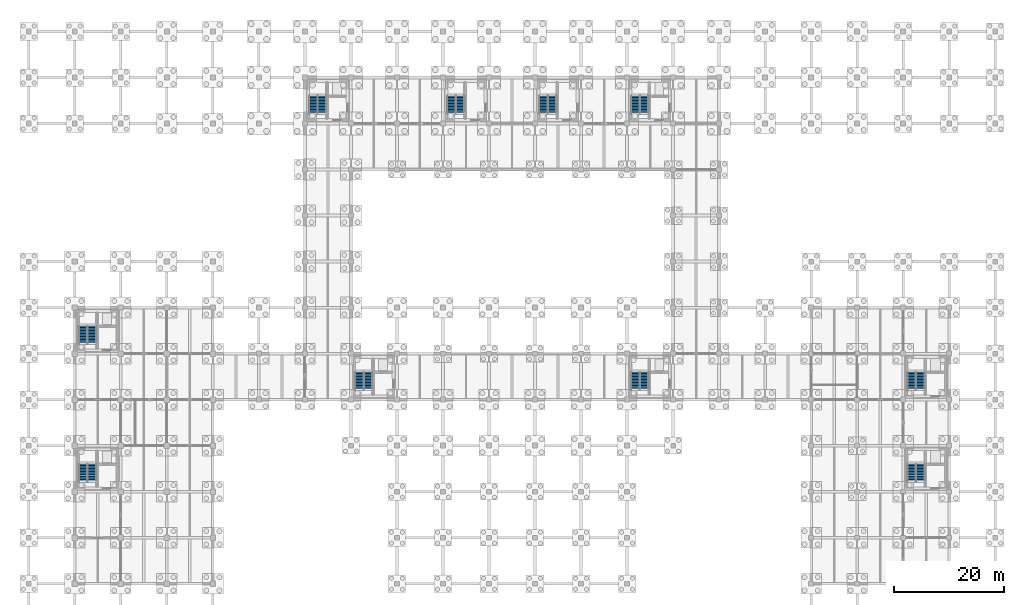
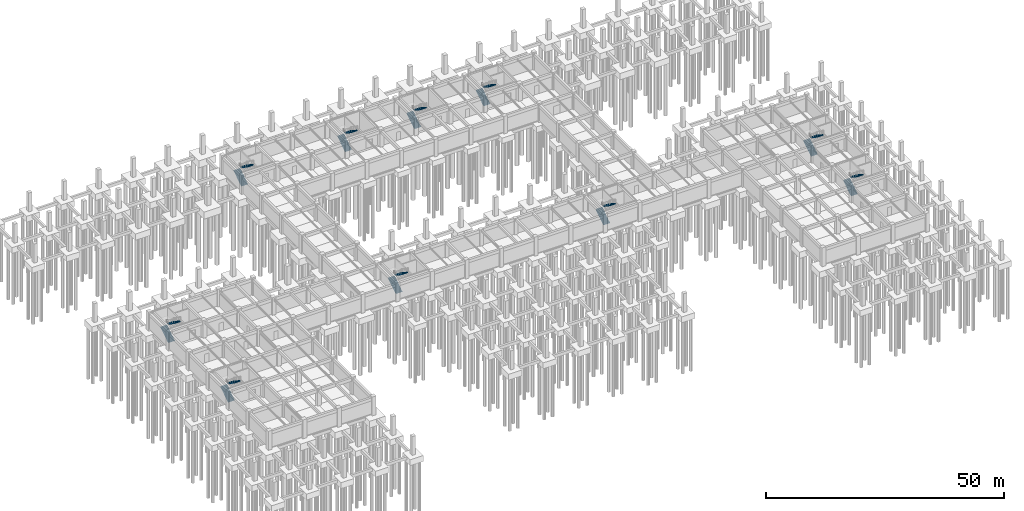
# One storey, part 26 of 29: 20 stair flights, 10 elements without a shape of their own.
"""IFC4 building model written with IfcOpenShell, lengths in metres."""

from ifc_helpers import new_model, si_unit, direction, frame, origin, place, context, subcontext, project, spatial, polyline, outline, extrude, material, layer, layer_set, type_object, element, aggregate, save


model = new_model("IFC4")

# Units and contexts
model_context = context("Model", 3, precision=1e-05, world=origin(), true_north=direction((0.0, 1.0)))
body_context = subcontext(model_context, "Body", "Model", "MODEL_VIEW")
ifc_project = project(units=[si_unit("LENGTHUNIT", "METRE"), si_unit("AREAUNIT", "SQUARE_METRE"), si_unit("VOLUMEUNIT", "CUBIC_METRE"), si_unit("PLANEANGLEUNIT", "RADIAN"), si_unit("MASSUNIT", "GRAM", prefix="KILO")], contexts=[model_context])

# Site, building, storey
site_placement = place(None, origin())
site = spatial("IfcSite", under=ifc_project, at=site_placement, CompositionType="ELEMENT")
building_placement = place(site_placement, origin())
building = spatial("IfcBuilding", under=site, at=building_placement, Name="Porcellanite Civic Hall", CompositionType="ELEMENT")
storey_placement = place(building_placement, frame((0.0, 0.0, -4.5)))
storey = spatial("IfcBuildingStorey", under=building, at=storey_placement, Name="B1", CompositionType="ELEMENT", Elevation=-4.5)

# Stair, stair flights
ifc_material_1 = material(Name="Concrete N40 (40 MPa)", Category="concrete")
stair_type = type_object("IfcStairType", Name="STR-HT25", PredefinedType="HALF_TURN_STAIR", material=ifc_material_1)
stair_1_placement = place(storey_placement, origin())
stair_1 = element("IfcStair", 1, at=stair_1_placement, inside=storey, type_object=stair_type, Name="Fire stair ST-01 B1", PredefinedType="HALF_TURN_STAIR")
ifc_material_2 = material(Name="Concrete N40 (40 MPa)", Category="concrete")
ifc_layer = layer(ifc_material_2, 0.18994140625)
ifc_layer_set = layer_set([ifc_layer], Name="Concrete N40 (40 MPa)")
stair_flight_type = type_object("IfcStairFlightType", Name="FLT-154B", PredefinedType="STRAIGHT", material=ifc_layer_set)
stair_flight_1_placement = place(storey_placement, frame((9.9599609375, 35.324951171875, 0.0), z_axis=(0.0, 0.0, 1.0), x_axis=(0.0, 1.0, 0.0)))
stair_flight_1 = element("IfcStairFlight", 2, at=stair_flight_1_placement, type_object=stair_flight_type, Name="ST-01 flight 1", NumberOfRisers=13, NumberOfTreads=12, PredefinedType="STRAIGHT", RiserHeight=0.18, TreadLength=0.275, context=body_context, shape_type="SweptSolid", body=[
    extrude(outline(polyline([(0.0, 0.0), (0.0, 0.179931640625), (0.27490234375, 0.179931640625), (0.27490234375, 0.360107421875), (0.550048828125, 0.360107421875), (0.550048828125, 0.5400390625), (0.824951171875, 0.5400390625), (0.824951171875, 0.719970703125), (1.10009765625, 0.719970703125), (1.10009765625, 0.89990234375), (1.375, 0.89990234375), (1.375, 1.080078125), (1.64990234375, 1.080078125), (1.64990234375, 1.260009765625), (1.925048828125, 1.260009765625), (1.925048828125, 1.43994140625), (2.199951171875, 1.43994140625), (2.199951171875, 1.6201171875), (2.47509765625, 1.6201171875), (2.47509765625, 1.800048828125), (2.75, 1.800048828125), (2.75, 1.97998046875), (3.02490234375, 1.97998046875), (3.02490234375, 2.159912109375), (3.300048828125, 2.159912109375), (3.300048828125, 2.340087890625), (3.300048828125, 1.945068359375), (0.32861328125, 0.0), (0.0, 0.0)])), frame((0.0, 0.77001953125, 0.0), z_axis=(0.0, -1.0, 0.0), x_axis=(1.0, 0.0, 0.0)), (0.0, 0.0, 1.0), 1.5400390625),
])
stair_flight_2_placement = place(storey_placement, frame((11.5400390625, 38.625, 2.340087890625), z_axis=(0.0, 0.0, 1.0), x_axis=(0.0, -1.0, 0.0)))
stair_flight_2 = element("IfcStairFlight", 3, at=stair_flight_2_placement, type_object=stair_flight_type, Name="ST-01 flight 2", NumberOfRisers=12, NumberOfTreads=11, PredefinedType="STRAIGHT", RiserHeight=0.18, TreadLength=0.275, context=body_context, shape_type="SweptSolid", body=[
    extrude(outline(polyline([(0.0, 0.0), (0.0, 0.179931640625), (0.27490234375, 0.179931640625), (0.27490234375, 0.360107421875), (0.550048828125, 0.360107421875), (0.550048828125, 0.5400390625), (0.824951171875, 0.5400390625), (0.824951171875, 0.719970703125), (1.10009765625, 0.719970703125), (1.10009765625, 0.89990234375), (1.375, 0.89990234375), (1.375, 1.080078125), (1.64990234375, 1.080078125), (1.64990234375, 1.260009765625), (1.925048828125, 1.260009765625), (1.925048828125, 1.43994140625), (2.199951171875, 1.43994140625), (2.199951171875, 1.6201171875), (2.47509765625, 1.6201171875), (2.47509765625, 1.800048828125), (2.75, 1.800048828125), (2.75, 1.97998046875), (3.02490234375, 1.97998046875), (3.02490234375, 2.159912109375), (3.02490234375, 1.764892578125), (0.32861328125, 0.0), (0.0, 0.0)])), frame((0.0, 0.77001953125, 0.0), z_axis=(0.0, -1.0, 0.0), x_axis=(1.0, 0.0, 0.0)), (0.0, 0.0, 1.0), 1.5400390625),
])
aggregate(stair_1, [stair_flight_1, stair_flight_2])

stair_2_placement = place(storey_placement, origin())
stair_2 = element("IfcStair", 4, at=stair_2_placement, inside=storey, type_object=stair_type, Name="Fire stair ST-02 B1", PredefinedType="HALF_TURN_STAIR")
stair_flight_3_placement = place(storey_placement, frame((9.9599609375, 60.52490234375, 0.0), z_axis=(0.0, 0.0, 1.0), x_axis=(0.0, 1.0, 0.0)))
stair_flight_3 = element("IfcStairFlight", 5, at=stair_flight_3_placement, type_object=stair_flight_type, Name="ST-02 flight 1", NumberOfRisers=13, NumberOfTreads=12, PredefinedType="STRAIGHT", RiserHeight=0.18, TreadLength=0.275, context=body_context, shape_type="SweptSolid", body=[
    extrude(outline(polyline([(0.0, 0.0), (0.0, 0.179931640625), (0.27490234375, 0.179931640625), (0.27490234375, 0.360107421875), (0.550048828125, 0.360107421875), (0.550048828125, 0.5400390625), (0.824951171875, 0.5400390625), (0.824951171875, 0.719970703125), (1.10009765625, 0.719970703125), (1.10009765625, 0.89990234375), (1.375, 0.89990234375), (1.375, 1.080078125), (1.64990234375, 1.080078125), (1.64990234375, 1.260009765625), (1.925048828125, 1.260009765625), (1.925048828125, 1.43994140625), (2.199951171875, 1.43994140625), (2.199951171875, 1.6201171875), (2.47509765625, 1.6201171875), (2.47509765625, 1.800048828125), (2.75, 1.800048828125), (2.75, 1.97998046875), (3.02490234375, 1.97998046875), (3.02490234375, 2.159912109375), (3.300048828125, 2.159912109375), (3.300048828125, 2.340087890625), (3.300048828125, 1.945068359375), (0.32861328125, 0.0), (0.0, 0.0)])), frame((0.0, 0.77001953125, 0.0), z_axis=(0.0, -1.0, 0.0), x_axis=(1.0, 0.0, 0.0)), (0.0, 0.0, 1.0), 1.5400390625),
])
stair_flight_4_placement = place(storey_placement, frame((11.5400390625, 63.824951171875, 2.340087890625), z_axis=(0.0, 0.0, 1.0), x_axis=(0.0, -1.0, 0.0)))
stair_flight_4 = element("IfcStairFlight", 6, at=stair_flight_4_placement, type_object=stair_flight_type, Name="ST-02 flight 2", NumberOfRisers=12, NumberOfTreads=11, PredefinedType="STRAIGHT", RiserHeight=0.18, TreadLength=0.275, context=body_context, shape_type="SweptSolid", body=[
    extrude(outline(polyline([(0.0, 0.0), (0.0, 0.179931640625), (0.27490234375, 0.179931640625), (0.27490234375, 0.360107421875), (0.550048828125, 0.360107421875), (0.550048828125, 0.5400390625), (0.824951171875, 0.5400390625), (0.824951171875, 0.719970703125), (1.10009765625, 0.719970703125), (1.10009765625, 0.89990234375), (1.375, 0.89990234375), (1.375, 1.080078125), (1.64990234375, 1.080078125), (1.64990234375, 1.260009765625), (1.925048828125, 1.260009765625), (1.925048828125, 1.43994140625), (2.199951171875, 1.43994140625), (2.199951171875, 1.6201171875), (2.47509765625, 1.6201171875), (2.47509765625, 1.800048828125), (2.75, 1.800048828125), (2.75, 1.97998046875), (3.02490234375, 1.97998046875), (3.02490234375, 2.159912109375), (3.02490234375, 1.764892578125), (0.32861328125, 0.0), (0.0, 0.0)])), frame((0.0, 0.77001953125, 0.0), z_axis=(0.0, -1.0, 0.0), x_axis=(1.0, 0.0, 0.0)), (0.0, 0.0, 1.0), 1.5400390625),
])
aggregate(stair_2, [stair_flight_3, stair_flight_4])

stair_3_placement = place(storey_placement, origin())
stair_3 = element("IfcStair", 7, at=stair_3_placement, inside=storey, type_object=stair_type, Name="Fire stair ST-03 B1", PredefinedType="HALF_TURN_STAIR")
stair_flight_5_placement = place(storey_placement, frame((51.9599609375, 102.52490234375, 0.0), z_axis=(0.0, 0.0, 1.0), x_axis=(0.0, 1.0, 0.0)))
stair_flight_5 = element("IfcStairFlight", 8, at=stair_flight_5_placement, type_object=stair_flight_type, Name="ST-03 flight 1", NumberOfRisers=13, NumberOfTreads=12, PredefinedType="STRAIGHT", RiserHeight=0.18, TreadLength=0.275, context=body_context, shape_type="SweptSolid", body=[
    extrude(outline(polyline([(0.0, 0.0), (0.0, 0.179931640625), (0.27490234375, 0.179931640625), (0.27490234375, 0.360107421875), (0.550048828125, 0.360107421875), (0.550048828125, 0.5400390625), (0.824951171875, 0.5400390625), (0.824951171875, 0.719970703125), (1.10009765625, 0.719970703125), (1.10009765625, 0.89990234375), (1.375, 0.89990234375), (1.375, 1.080078125), (1.64990234375, 1.080078125), (1.64990234375, 1.260009765625), (1.925048828125, 1.260009765625), (1.925048828125, 1.43994140625), (2.199951171875, 1.43994140625), (2.199951171875, 1.6201171875), (2.47509765625, 1.6201171875), (2.47509765625, 1.800048828125), (2.75, 1.800048828125), (2.75, 1.97998046875), (3.02490234375, 1.97998046875), (3.02490234375, 2.159912109375), (3.300048828125, 2.159912109375), (3.300048828125, 2.340087890625), (3.300048828125, 1.945068359375), (0.32861328125, 0.0), (0.0, 0.0)])), frame((0.0, 0.77001953125, 0.0), z_axis=(0.0, -1.0, 0.0), x_axis=(1.0, 0.0, 0.0)), (0.0, 0.0, 1.0), 1.5400390625),
])
stair_flight_6_placement = place(storey_placement, frame((53.5400390625, 105.824951171875, 2.340087890625), z_axis=(0.0, 0.0, 1.0), x_axis=(0.0, -1.0, 0.0)))
stair_flight_6 = element("IfcStairFlight", 9, at=stair_flight_6_placement, type_object=stair_flight_type, Name="ST-03 flight 2", NumberOfRisers=12, NumberOfTreads=11, PredefinedType="STRAIGHT", RiserHeight=0.18, TreadLength=0.275, context=body_context, shape_type="SweptSolid", body=[
    extrude(outline(polyline([(0.0, 0.0), (0.0, 0.179931640625), (0.27490234375, 0.179931640625), (0.27490234375, 0.360107421875), (0.550048828125, 0.360107421875), (0.550048828125, 0.5400390625), (0.824951171875, 0.5400390625), (0.824951171875, 0.719970703125), (1.10009765625, 0.719970703125), (1.10009765625, 0.89990234375), (1.375, 0.89990234375), (1.375, 1.080078125), (1.64990234375, 1.080078125), (1.64990234375, 1.260009765625), (1.925048828125, 1.260009765625), (1.925048828125, 1.43994140625), (2.199951171875, 1.43994140625), (2.199951171875, 1.6201171875), (2.47509765625, 1.6201171875), (2.47509765625, 1.800048828125), (2.75, 1.800048828125), (2.75, 1.97998046875), (3.02490234375, 1.97998046875), (3.02490234375, 2.159912109375), (3.02490234375, 1.764892578125), (0.32861328125, 0.0), (0.0, 0.0)])), frame((0.0, 0.77001953125, 0.0), z_axis=(0.0, -1.0, 0.0), x_axis=(1.0, 0.0, 0.0)), (0.0, 0.0, 1.0), 1.5400390625),
])
aggregate(stair_3, [stair_flight_5, stair_flight_6])

stair_4_placement = place(storey_placement, origin())
stair_4 = element("IfcStair", 10, at=stair_4_placement, inside=storey, type_object=stair_type, Name="Fire stair ST-04 B1", PredefinedType="HALF_TURN_STAIR")
stair_flight_7_placement = place(storey_placement, frame((110.760009765625, 102.52490234375, 0.0), z_axis=(0.0, 0.0, 1.0), x_axis=(0.0, 1.0, 0.0)))
stair_flight_7 = element("IfcStairFlight", 11, at=stair_flight_7_placement, type_object=stair_flight_type, Name="ST-04 flight 1", NumberOfRisers=13, NumberOfTreads=12, PredefinedType="STRAIGHT", RiserHeight=0.18, TreadLength=0.275, context=body_context, shape_type="SweptSolid", body=[
    extrude(outline(polyline([(0.0, 0.0), (0.0, 0.179931640625), (0.27490234375, 0.179931640625), (0.27490234375, 0.360107421875), (0.550048828125, 0.360107421875), (0.550048828125, 0.5400390625), (0.824951171875, 0.5400390625), (0.824951171875, 0.719970703125), (1.10009765625, 0.719970703125), (1.10009765625, 0.89990234375), (1.375, 0.89990234375), (1.375, 1.080078125), (1.64990234375, 1.080078125), (1.64990234375, 1.260009765625), (1.925048828125, 1.260009765625), (1.925048828125, 1.43994140625), (2.199951171875, 1.43994140625), (2.199951171875, 1.6201171875), (2.47509765625, 1.6201171875), (2.47509765625, 1.800048828125), (2.75, 1.800048828125), (2.75, 1.97998046875), (3.02490234375, 1.97998046875), (3.02490234375, 2.159912109375), (3.300048828125, 2.159912109375), (3.300048828125, 2.340087890625), (3.300048828125, 1.945068359375), (0.32861328125, 0.0), (0.0, 0.0)])), frame((0.0, 0.77001953125, 0.0), z_axis=(0.0, -1.0, 0.0), x_axis=(1.0, 0.0, 0.0)), (0.0, 0.0, 1.0), 1.5400390625),
])
stair_flight_8_placement = place(storey_placement, frame((112.340087890625, 105.824951171875, 2.340087890625), z_axis=(0.0, 0.0, 1.0), x_axis=(0.0, -1.0, 0.0)))
stair_flight_8 = element("IfcStairFlight", 12, at=stair_flight_8_placement, type_object=stair_flight_type, Name="ST-04 flight 2", NumberOfRisers=12, NumberOfTreads=11, PredefinedType="STRAIGHT", RiserHeight=0.18, TreadLength=0.275, context=body_context, shape_type="SweptSolid", body=[
    extrude(outline(polyline([(0.0, 0.0), (0.0, 0.179931640625), (0.27490234375, 0.179931640625), (0.27490234375, 0.360107421875), (0.550048828125, 0.360107421875), (0.550048828125, 0.5400390625), (0.824951171875, 0.5400390625), (0.824951171875, 0.719970703125), (1.10009765625, 0.719970703125), (1.10009765625, 0.89990234375), (1.375, 0.89990234375), (1.375, 1.080078125), (1.64990234375, 1.080078125), (1.64990234375, 1.260009765625), (1.925048828125, 1.260009765625), (1.925048828125, 1.43994140625), (2.199951171875, 1.43994140625), (2.199951171875, 1.6201171875), (2.47509765625, 1.6201171875), (2.47509765625, 1.800048828125), (2.75, 1.800048828125), (2.75, 1.97998046875), (3.02490234375, 1.97998046875), (3.02490234375, 2.159912109375), (3.02490234375, 1.764892578125), (0.32861328125, 0.0), (0.0, 0.0)])), frame((0.0, 0.77001953125, 0.0), z_axis=(0.0, -1.0, 0.0), x_axis=(1.0, 0.0, 0.0)), (0.0, 0.0, 1.0), 1.5400390625),
])
aggregate(stair_4, [stair_flight_7, stair_flight_8])

stair_5_placement = place(storey_placement, origin())
stair_5 = element("IfcStair", 13, at=stair_5_placement, inside=storey, type_object=stair_type, Name="Fire stair ST-05 B1", PredefinedType="HALF_TURN_STAIR")
stair_flight_9_placement = place(storey_placement, frame((60.360107421875, 52.125, 0.0), z_axis=(0.0, 0.0, 1.0), x_axis=(0.0, 1.0, 0.0)))
stair_flight_9 = element("IfcStairFlight", 14, at=stair_flight_9_placement, type_object=stair_flight_type, Name="ST-05 flight 1", NumberOfRisers=13, NumberOfTreads=12, PredefinedType="STRAIGHT", RiserHeight=0.18, TreadLength=0.275, context=body_context, shape_type="SweptSolid", body=[
    extrude(outline(polyline([(0.0, 0.0), (0.0, 0.179931640625), (0.27490234375, 0.179931640625), (0.27490234375, 0.360107421875), (0.550048828125, 0.360107421875), (0.550048828125, 0.5400390625), (0.824951171875, 0.5400390625), (0.824951171875, 0.719970703125), (1.10009765625, 0.719970703125), (1.10009765625, 0.89990234375), (1.375, 0.89990234375), (1.375, 1.080078125), (1.64990234375, 1.080078125), (1.64990234375, 1.260009765625), (1.925048828125, 1.260009765625), (1.925048828125, 1.43994140625), (2.199951171875, 1.43994140625), (2.199951171875, 1.6201171875), (2.47509765625, 1.6201171875), (2.47509765625, 1.800048828125), (2.75, 1.800048828125), (2.75, 1.97998046875), (3.02490234375, 1.97998046875), (3.02490234375, 2.159912109375), (3.300048828125, 2.159912109375), (3.300048828125, 2.340087890625), (3.300048828125, 1.945068359375), (0.32861328125, 0.0), (0.0, 0.0)])), frame((0.0, 0.77001953125, 0.0), z_axis=(0.0, -1.0, 0.0), x_axis=(1.0, 0.0, 0.0)), (0.0, 0.0, 1.0), 1.5400390625),
])
stair_flight_10_placement = place(storey_placement, frame((61.93994140625, 55.425048828125, 2.340087890625), z_axis=(0.0, 0.0, 1.0), x_axis=(0.0, -1.0, 0.0)))
stair_flight_10 = element("IfcStairFlight", 15, at=stair_flight_10_placement, type_object=stair_flight_type, Name="ST-05 flight 2", NumberOfRisers=12, NumberOfTreads=11, PredefinedType="STRAIGHT", RiserHeight=0.18, TreadLength=0.275, context=body_context, shape_type="SweptSolid", body=[
    extrude(outline(polyline([(0.0, 0.0), (0.0, 0.179931640625), (0.27490234375, 0.179931640625), (0.27490234375, 0.360107421875), (0.550048828125, 0.360107421875), (0.550048828125, 0.5400390625), (0.824951171875, 0.5400390625), (0.824951171875, 0.719970703125), (1.10009765625, 0.719970703125), (1.10009765625, 0.89990234375), (1.375, 0.89990234375), (1.375, 1.080078125), (1.64990234375, 1.080078125), (1.64990234375, 1.260009765625), (1.925048828125, 1.260009765625), (1.925048828125, 1.43994140625), (2.199951171875, 1.43994140625), (2.199951171875, 1.6201171875), (2.47509765625, 1.6201171875), (2.47509765625, 1.800048828125), (2.75, 1.800048828125), (2.75, 1.97998046875), (3.02490234375, 1.97998046875), (3.02490234375, 2.159912109375), (3.02490234375, 1.764892578125), (0.32861328125, 0.0), (0.0, 0.0)])), frame((0.0, 0.77001953125, 0.0), z_axis=(0.0, -1.0, 0.0), x_axis=(1.0, 0.0, 0.0)), (0.0, 0.0, 1.0), 1.5400390625),
])
aggregate(stair_5, [stair_flight_9, stair_flight_10])

stair_6_placement = place(storey_placement, origin())
stair_6 = element("IfcStair", 16, at=stair_6_placement, inside=storey, type_object=stair_type, Name="Fire stair ST-06 B1", PredefinedType="HALF_TURN_STAIR")
stair_flight_11_placement = place(storey_placement, frame((110.760009765625, 52.125, 0.0), z_axis=(0.0, 0.0, 1.0), x_axis=(0.0, 1.0, 0.0)))
stair_flight_11 = element("IfcStairFlight", 17, at=stair_flight_11_placement, type_object=stair_flight_type, Name="ST-06 flight 1", NumberOfRisers=13, NumberOfTreads=12, PredefinedType="STRAIGHT", RiserHeight=0.18, TreadLength=0.275, context=body_context, shape_type="SweptSolid", body=[
    extrude(outline(polyline([(0.0, 0.0), (0.0, 0.179931640625), (0.27490234375, 0.179931640625), (0.27490234375, 0.360107421875), (0.550048828125, 0.360107421875), (0.550048828125, 0.5400390625), (0.824951171875, 0.5400390625), (0.824951171875, 0.719970703125), (1.10009765625, 0.719970703125), (1.10009765625, 0.89990234375), (1.375, 0.89990234375), (1.375, 1.080078125), (1.64990234375, 1.080078125), (1.64990234375, 1.260009765625), (1.925048828125, 1.260009765625), (1.925048828125, 1.43994140625), (2.199951171875, 1.43994140625), (2.199951171875, 1.6201171875), (2.47509765625, 1.6201171875), (2.47509765625, 1.800048828125), (2.75, 1.800048828125), (2.75, 1.97998046875), (3.02490234375, 1.97998046875), (3.02490234375, 2.159912109375), (3.300048828125, 2.159912109375), (3.300048828125, 2.340087890625), (3.300048828125, 1.945068359375), (0.32861328125, 0.0), (0.0, 0.0)])), frame((0.0, 0.77001953125, 0.0), z_axis=(0.0, -1.0, 0.0), x_axis=(1.0, 0.0, 0.0)), (0.0, 0.0, 1.0), 1.5400390625),
])
stair_flight_12_placement = place(storey_placement, frame((112.340087890625, 55.425048828125, 2.340087890625), z_axis=(0.0, 0.0, 1.0), x_axis=(0.0, -1.0, 0.0)))
stair_flight_12 = element("IfcStairFlight", 18, at=stair_flight_12_placement, type_object=stair_flight_type, Name="ST-06 flight 2", NumberOfRisers=12, NumberOfTreads=11, PredefinedType="STRAIGHT", RiserHeight=0.18, TreadLength=0.275, context=body_context, shape_type="SweptSolid", body=[
    extrude(outline(polyline([(0.0, 0.0), (0.0, 0.179931640625), (0.27490234375, 0.179931640625), (0.27490234375, 0.360107421875), (0.550048828125, 0.360107421875), (0.550048828125, 0.5400390625), (0.824951171875, 0.5400390625), (0.824951171875, 0.719970703125), (1.10009765625, 0.719970703125), (1.10009765625, 0.89990234375), (1.375, 0.89990234375), (1.375, 1.080078125), (1.64990234375, 1.080078125), (1.64990234375, 1.260009765625), (1.925048828125, 1.260009765625), (1.925048828125, 1.43994140625), (2.199951171875, 1.43994140625), (2.199951171875, 1.6201171875), (2.47509765625, 1.6201171875), (2.47509765625, 1.800048828125), (2.75, 1.800048828125), (2.75, 1.97998046875), (3.02490234375, 1.97998046875), (3.02490234375, 2.159912109375), (3.02490234375, 1.764892578125), (0.32861328125, 0.0), (0.0, 0.0)])), frame((0.0, 0.77001953125, 0.0), z_axis=(0.0, -1.0, 0.0), x_axis=(1.0, 0.0, 0.0)), (0.0, 0.0, 1.0), 1.5400390625),
])
aggregate(stair_6, [stair_flight_11, stair_flight_12])

stair_7_placement = place(storey_placement, origin())
stair_7 = element("IfcStair", 19, at=stair_7_placement, inside=storey, type_object=stair_type, Name="Fire stair ST-07 B1", PredefinedType="HALF_TURN_STAIR")
stair_flight_13_placement = place(storey_placement, frame((161.159912109375, 35.324951171875, 0.0), z_axis=(0.0, 0.0, 1.0), x_axis=(0.0, 1.0, 0.0)))
stair_flight_13 = element("IfcStairFlight", 20, at=stair_flight_13_placement, type_object=stair_flight_type, Name="ST-07 flight 1", NumberOfRisers=13, NumberOfTreads=12, PredefinedType="STRAIGHT", RiserHeight=0.18, TreadLength=0.275, context=body_context, shape_type="SweptSolid", body=[
    extrude(outline(polyline([(0.0, 0.0), (0.0, 0.179931640625), (0.27490234375, 0.179931640625), (0.27490234375, 0.360107421875), (0.550048828125, 0.360107421875), (0.550048828125, 0.5400390625), (0.824951171875, 0.5400390625), (0.824951171875, 0.719970703125), (1.10009765625, 0.719970703125), (1.10009765625, 0.89990234375), (1.375, 0.89990234375), (1.375, 1.080078125), (1.64990234375, 1.080078125), (1.64990234375, 1.260009765625), (1.925048828125, 1.260009765625), (1.925048828125, 1.43994140625), (2.199951171875, 1.43994140625), (2.199951171875, 1.6201171875), (2.47509765625, 1.6201171875), (2.47509765625, 1.800048828125), (2.75, 1.800048828125), (2.75, 1.97998046875), (3.02490234375, 1.97998046875), (3.02490234375, 2.159912109375), (3.300048828125, 2.159912109375), (3.300048828125, 2.340087890625), (3.300048828125, 1.945068359375), (0.32861328125, 0.0), (0.0, 0.0)])), frame((0.0, 0.77001953125, 0.0), z_axis=(0.0, -1.0, 0.0), x_axis=(1.0, 0.0, 0.0)), (0.0, 0.0, 1.0), 1.5400390625),
])
stair_flight_14_placement = place(storey_placement, frame((162.739990234375, 38.625, 2.340087890625), z_axis=(0.0, 0.0, 1.0), x_axis=(0.0, -1.0, 0.0)))
stair_flight_14 = element("IfcStairFlight", 21, at=stair_flight_14_placement, type_object=stair_flight_type, Name="ST-07 flight 2", NumberOfRisers=12, NumberOfTreads=11, PredefinedType="STRAIGHT", RiserHeight=0.18, TreadLength=0.275, context=body_context, shape_type="SweptSolid", body=[
    extrude(outline(polyline([(0.0, 0.0), (0.0, 0.179931640625), (0.27490234375, 0.179931640625), (0.27490234375, 0.360107421875), (0.550048828125, 0.360107421875), (0.550048828125, 0.5400390625), (0.824951171875, 0.5400390625), (0.824951171875, 0.719970703125), (1.10009765625, 0.719970703125), (1.10009765625, 0.89990234375), (1.375, 0.89990234375), (1.375, 1.080078125), (1.64990234375, 1.080078125), (1.64990234375, 1.260009765625), (1.925048828125, 1.260009765625), (1.925048828125, 1.43994140625), (2.199951171875, 1.43994140625), (2.199951171875, 1.6201171875), (2.47509765625, 1.6201171875), (2.47509765625, 1.800048828125), (2.75, 1.800048828125), (2.75, 1.97998046875), (3.02490234375, 1.97998046875), (3.02490234375, 2.159912109375), (3.02490234375, 1.764892578125), (0.32861328125, 0.0), (0.0, 0.0)])), frame((0.0, 0.77001953125, 0.0), z_axis=(0.0, -1.0, 0.0), x_axis=(1.0, 0.0, 0.0)), (0.0, 0.0, 1.0), 1.5400390625),
])
aggregate(stair_7, [stair_flight_13, stair_flight_14])

stair_8_placement = place(storey_placement, origin())
stair_8 = element("IfcStair", 22, at=stair_8_placement, inside=storey, type_object=stair_type, Name="Fire stair ST-08 B1", PredefinedType="HALF_TURN_STAIR")
stair_flight_15_placement = place(storey_placement, frame((161.159912109375, 52.125, 0.0), z_axis=(0.0, 0.0, 1.0), x_axis=(0.0, 1.0, 0.0)))
stair_flight_15 = element("IfcStairFlight", 23, at=stair_flight_15_placement, type_object=stair_flight_type, Name="ST-08 flight 1", NumberOfRisers=13, NumberOfTreads=12, PredefinedType="STRAIGHT", RiserHeight=0.18, TreadLength=0.275, context=body_context, shape_type="SweptSolid", body=[
    extrude(outline(polyline([(0.0, 0.0), (0.0, 0.179931640625), (0.27490234375, 0.179931640625), (0.27490234375, 0.360107421875), (0.550048828125, 0.360107421875), (0.550048828125, 0.5400390625), (0.824951171875, 0.5400390625), (0.824951171875, 0.719970703125), (1.10009765625, 0.719970703125), (1.10009765625, 0.89990234375), (1.375, 0.89990234375), (1.375, 1.080078125), (1.64990234375, 1.080078125), (1.64990234375, 1.260009765625), (1.925048828125, 1.260009765625), (1.925048828125, 1.43994140625), (2.199951171875, 1.43994140625), (2.199951171875, 1.6201171875), (2.47509765625, 1.6201171875), (2.47509765625, 1.800048828125), (2.75, 1.800048828125), (2.75, 1.97998046875), (3.02490234375, 1.97998046875), (3.02490234375, 2.159912109375), (3.300048828125, 2.159912109375), (3.300048828125, 2.340087890625), (3.300048828125, 1.945068359375), (0.32861328125, 0.0), (0.0, 0.0)])), frame((0.0, 0.77001953125, 0.0), z_axis=(0.0, -1.0, 0.0), x_axis=(1.0, 0.0, 0.0)), (0.0, 0.0, 1.0), 1.5400390625),
])
stair_flight_16_placement = place(storey_placement, frame((162.739990234375, 55.425048828125, 2.340087890625), z_axis=(0.0, 0.0, 1.0), x_axis=(0.0, -1.0, 0.0)))
stair_flight_16 = element("IfcStairFlight", 24, at=stair_flight_16_placement, type_object=stair_flight_type, Name="ST-08 flight 2", NumberOfRisers=12, NumberOfTreads=11, PredefinedType="STRAIGHT", RiserHeight=0.18, TreadLength=0.275, context=body_context, shape_type="SweptSolid", body=[
    extrude(outline(polyline([(0.0, 0.0), (0.0, 0.179931640625), (0.27490234375, 0.179931640625), (0.27490234375, 0.360107421875), (0.550048828125, 0.360107421875), (0.550048828125, 0.5400390625), (0.824951171875, 0.5400390625), (0.824951171875, 0.719970703125), (1.10009765625, 0.719970703125), (1.10009765625, 0.89990234375), (1.375, 0.89990234375), (1.375, 1.080078125), (1.64990234375, 1.080078125), (1.64990234375, 1.260009765625), (1.925048828125, 1.260009765625), (1.925048828125, 1.43994140625), (2.199951171875, 1.43994140625), (2.199951171875, 1.6201171875), (2.47509765625, 1.6201171875), (2.47509765625, 1.800048828125), (2.75, 1.800048828125), (2.75, 1.97998046875), (3.02490234375, 1.97998046875), (3.02490234375, 2.159912109375), (3.02490234375, 1.764892578125), (0.32861328125, 0.0), (0.0, 0.0)])), frame((0.0, 0.77001953125, 0.0), z_axis=(0.0, -1.0, 0.0), x_axis=(1.0, 0.0, 0.0)), (0.0, 0.0, 1.0), 1.5400390625),
])
aggregate(stair_8, [stair_flight_15, stair_flight_16])

stair_9_placement = place(storey_placement, origin())
stair_9 = element("IfcStair", 25, at=stair_9_placement, inside=storey, type_object=stair_type, Name="Fire stair ST-09 B1", PredefinedType="HALF_TURN_STAIR")
stair_flight_17_placement = place(storey_placement, frame((77.159912109375, 102.52490234375, 0.0), z_axis=(0.0, 0.0, 1.0), x_axis=(0.0, 1.0, 0.0)))
stair_flight_17 = element("IfcStairFlight", 26, at=stair_flight_17_placement, type_object=stair_flight_type, Name="ST-09 flight 1", NumberOfRisers=13, NumberOfTreads=12, PredefinedType="STRAIGHT", RiserHeight=0.18, TreadLength=0.275, context=body_context, shape_type="SweptSolid", body=[
    extrude(outline(polyline([(0.0, 0.0), (0.0, 0.179931640625), (0.27490234375, 0.179931640625), (0.27490234375, 0.360107421875), (0.550048828125, 0.360107421875), (0.550048828125, 0.5400390625), (0.824951171875, 0.5400390625), (0.824951171875, 0.719970703125), (1.10009765625, 0.719970703125), (1.10009765625, 0.89990234375), (1.375, 0.89990234375), (1.375, 1.080078125), (1.64990234375, 1.080078125), (1.64990234375, 1.260009765625), (1.925048828125, 1.260009765625), (1.925048828125, 1.43994140625), (2.199951171875, 1.43994140625), (2.199951171875, 1.6201171875), (2.47509765625, 1.6201171875), (2.47509765625, 1.800048828125), (2.75, 1.800048828125), (2.75, 1.97998046875), (3.02490234375, 1.97998046875), (3.02490234375, 2.159912109375), (3.300048828125, 2.159912109375), (3.300048828125, 2.340087890625), (3.300048828125, 1.945068359375), (0.32861328125, 0.0), (0.0, 0.0)])), frame((0.0, 0.77001953125, 0.0), z_axis=(0.0, -1.0, 0.0), x_axis=(1.0, 0.0, 0.0)), (0.0, 0.0, 1.0), 1.5400390625),
])
stair_flight_18_placement = place(storey_placement, frame((78.739990234375, 105.824951171875, 2.340087890625), z_axis=(0.0, 0.0, 1.0), x_axis=(0.0, -1.0, 0.0)))
stair_flight_18 = element("IfcStairFlight", 27, at=stair_flight_18_placement, type_object=stair_flight_type, Name="ST-09 flight 2", NumberOfRisers=12, NumberOfTreads=11, PredefinedType="STRAIGHT", RiserHeight=0.18, TreadLength=0.275, context=body_context, shape_type="SweptSolid", body=[
    extrude(outline(polyline([(0.0, 0.0), (0.0, 0.179931640625), (0.27490234375, 0.179931640625), (0.27490234375, 0.360107421875), (0.550048828125, 0.360107421875), (0.550048828125, 0.5400390625), (0.824951171875, 0.5400390625), (0.824951171875, 0.719970703125), (1.10009765625, 0.719970703125), (1.10009765625, 0.89990234375), (1.375, 0.89990234375), (1.375, 1.080078125), (1.64990234375, 1.080078125), (1.64990234375, 1.260009765625), (1.925048828125, 1.260009765625), (1.925048828125, 1.43994140625), (2.199951171875, 1.43994140625), (2.199951171875, 1.6201171875), (2.47509765625, 1.6201171875), (2.47509765625, 1.800048828125), (2.75, 1.800048828125), (2.75, 1.97998046875), (3.02490234375, 1.97998046875), (3.02490234375, 2.159912109375), (3.02490234375, 1.764892578125), (0.32861328125, 0.0), (0.0, 0.0)])), frame((0.0, 0.77001953125, 0.0), z_axis=(0.0, -1.0, 0.0), x_axis=(1.0, 0.0, 0.0)), (0.0, 0.0, 1.0), 1.5400390625),
])
aggregate(stair_9, [stair_flight_17, stair_flight_18])

stair_10_placement = place(storey_placement, origin())
stair_10 = element("IfcStair", 28, at=stair_10_placement, inside=storey, type_object=stair_type, Name="Fire stair ST-10 B1", PredefinedType="HALF_TURN_STAIR")
stair_flight_19_placement = place(storey_placement, frame((93.9599609375, 102.52490234375, 0.0), z_axis=(0.0, 0.0, 1.0), x_axis=(0.0, 1.0, 0.0)))
stair_flight_19 = element("IfcStairFlight", 29, at=stair_flight_19_placement, type_object=stair_flight_type, Name="ST-10 flight 1", NumberOfRisers=13, NumberOfTreads=12, PredefinedType="STRAIGHT", RiserHeight=0.18, TreadLength=0.275, context=body_context, shape_type="SweptSolid", body=[
    extrude(outline(polyline([(0.0, 0.0), (0.0, 0.179931640625), (0.27490234375, 0.179931640625), (0.27490234375, 0.360107421875), (0.550048828125, 0.360107421875), (0.550048828125, 0.5400390625), (0.824951171875, 0.5400390625), (0.824951171875, 0.719970703125), (1.10009765625, 0.719970703125), (1.10009765625, 0.89990234375), (1.375, 0.89990234375), (1.375, 1.080078125), (1.64990234375, 1.080078125), (1.64990234375, 1.260009765625), (1.925048828125, 1.260009765625), (1.925048828125, 1.43994140625), (2.199951171875, 1.43994140625), (2.199951171875, 1.6201171875), (2.47509765625, 1.6201171875), (2.47509765625, 1.800048828125), (2.75, 1.800048828125), (2.75, 1.97998046875), (3.02490234375, 1.97998046875), (3.02490234375, 2.159912109375), (3.300048828125, 2.159912109375), (3.300048828125, 2.340087890625), (3.300048828125, 1.945068359375), (0.32861328125, 0.0), (0.0, 0.0)])), frame((0.0, 0.77001953125, 0.0), z_axis=(0.0, -1.0, 0.0), x_axis=(1.0, 0.0, 0.0)), (0.0, 0.0, 1.0), 1.5400390625),
])
stair_flight_20_placement = place(storey_placement, frame((95.5400390625, 105.824951171875, 2.340087890625), z_axis=(0.0, 0.0, 1.0), x_axis=(0.0, -1.0, 0.0)))
stair_flight_20 = element("IfcStairFlight", 30, at=stair_flight_20_placement, type_object=stair_flight_type, Name="ST-10 flight 2", NumberOfRisers=12, NumberOfTreads=11, PredefinedType="STRAIGHT", RiserHeight=0.18, TreadLength=0.275, context=body_context, shape_type="SweptSolid", body=[
    extrude(outline(polyline([(0.0, 0.0), (0.0, 0.179931640625), (0.27490234375, 0.179931640625), (0.27490234375, 0.360107421875), (0.550048828125, 0.360107421875), (0.550048828125, 0.5400390625), (0.824951171875, 0.5400390625), (0.824951171875, 0.719970703125), (1.10009765625, 0.719970703125), (1.10009765625, 0.89990234375), (1.375, 0.89990234375), (1.375, 1.080078125), (1.64990234375, 1.080078125), (1.64990234375, 1.260009765625), (1.925048828125, 1.260009765625), (1.925048828125, 1.43994140625), (2.199951171875, 1.43994140625), (2.199951171875, 1.6201171875), (2.47509765625, 1.6201171875), (2.47509765625, 1.800048828125), (2.75, 1.800048828125), (2.75, 1.97998046875), (3.02490234375, 1.97998046875), (3.02490234375, 2.159912109375), (3.02490234375, 1.764892578125), (0.32861328125, 0.0), (0.0, 0.0)])), frame((0.0, 0.77001953125, 0.0), z_axis=(0.0, -1.0, 0.0), x_axis=(1.0, 0.0, 0.0)), (0.0, 0.0, 1.0), 1.5400390625),
])
aggregate(stair_10, [stair_flight_19, stair_flight_20])

save(model, "model.ifc")
